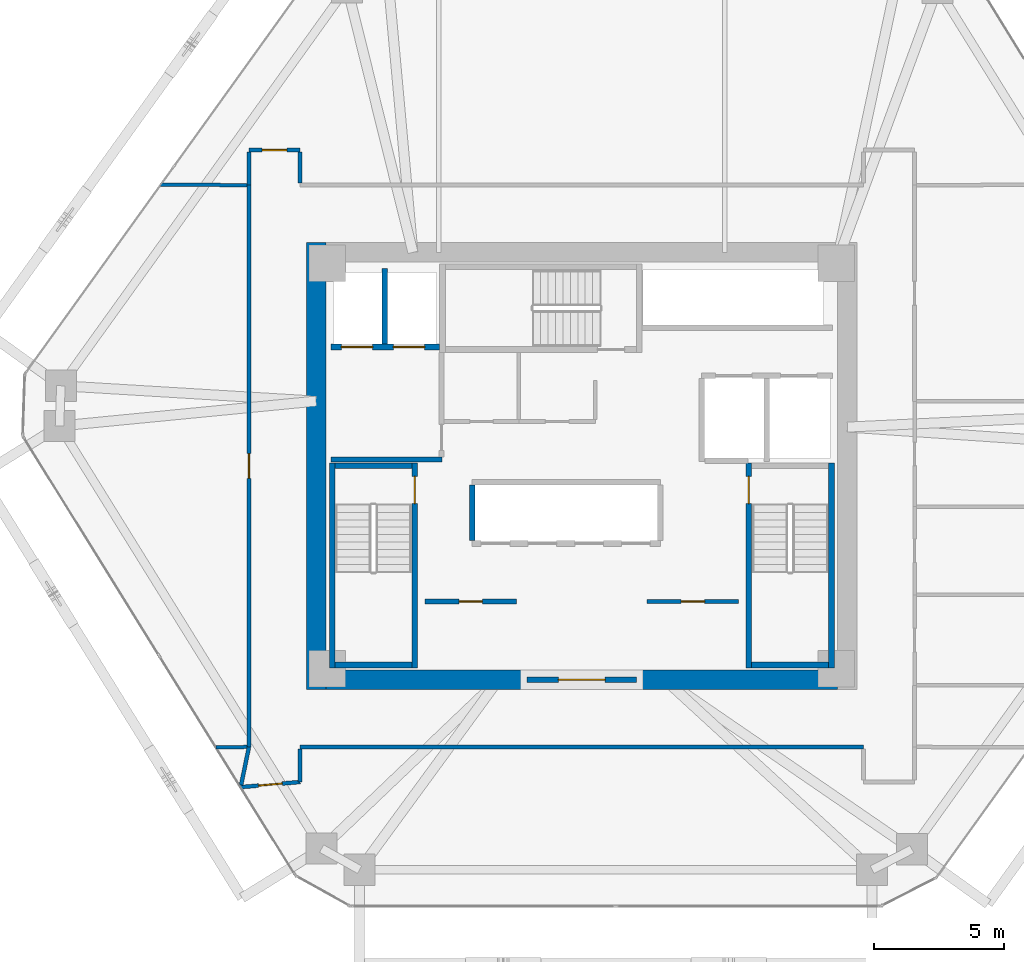
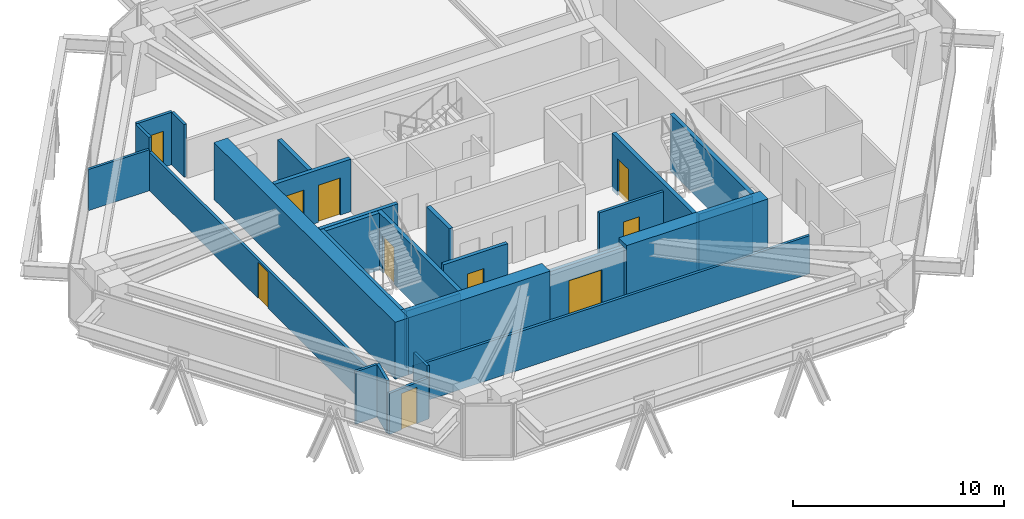
# One storey, part 12 of 15: 27 walls, 10 doors, 10 openings.
"""IFC4 building model written with IfcOpenShell, lengths in metres."""

import ifcopenshell
import ifcopenshell.guid

model = None  # the IFC model being written
_history = None  # IfcOwnerHistory: only IFC2X3 demands one
_inside = {}  # id of a spatial element -> (the spatial element, [elements in it])
_under = {}  # id of a project, library or spatial element -> (it, [spatial elements below it])
_declared = {}  # id of a project -> (the project, [libraries it declares])
_typed = {}  # id of a type object -> (the type object, [elements of that type])
_made_of = {}  # id of a material, layer set ... -> (it, [elements and type objects made of it])


def new_model(schema):
    """Start an empty IFC model of exactly this schema.

    Asked for "IFC4X3", IfcOpenShell would pick the latest addendum, in which some entities
    have other attributes; the version numbers below select the first issue.
    IFC2X3 requires an IfcOwnerHistory on every rooted entity: one is made here for all.
    """
    global model, _history
    if schema == "IFC4X3":
        model = ifcopenshell.file(schema_version=(4, 3, 0, 0))
    else:
        model = ifcopenshell.file(schema=schema)
    _inside.clear()
    _under.clear()
    _declared.clear()
    _typed.clear()
    _made_of.clear()
    _history = None
    if model.schema == "IFC2X3":
        org = make("IfcOrganization", Name="unknown")
        user = make(
            "IfcPersonAndOrganization",
            ThePerson=make("IfcPerson", FamilyName="unknown"),
            TheOrganization=org,
        )
        app = make(
            "IfcApplication",
            ApplicationDeveloper=org,
            Version="unknown",
            ApplicationFullName="unknown",
            ApplicationIdentifier="unknown",
        )
        _history = make(
            "IfcOwnerHistory",
            OwningUser=user,
            OwningApplication=app,
            ChangeAction="ADDED",
            CreationDate=0,
        )
    return model


def make(cls, **values):
    """One entity of the class cls with the attributes given. An attribute that is None is left unset."""
    return model.create_entity(
        cls, **{name: value for name, value in values.items() if value is not None}
    )


def rooted(cls, **values):
    """An entity with a GlobalId (a new one), such as an element, a storey or a relation."""
    return make(cls, GlobalId=ifcopenshell.guid.new(), OwnerHistory=_history, **values)


def si_unit(unit_type, name, prefix=None):
    """IfcSIUnit, for example si_unit("LENGTHUNIT", "METRE", prefix="MILLI")."""
    return make("IfcSIUnit", UnitType=unit_type, Prefix=prefix, Name=name)


def assignment(units):
    """IfcUnitAssignment: the units of a project."""
    return None if units is None else make("IfcUnitAssignment", Units=units)


def point(xyz):
    """IfcCartesianPoint."""
    return None if xyz is None else make("IfcCartesianPoint", Coordinates=xyz)


def direction(xyz):
    """IfcDirection."""
    return None if xyz is None else make("IfcDirection", DirectionRatios=xyz)


def frame(location, z_axis=None, x_axis=None):
    """IfcAxis2Placement3D, a coordinate frame: its origin and axes. An axis left out is left unset."""
    return make(
        "IfcAxis2Placement3D",
        Location=point(location),
        Axis=direction(z_axis),
        RefDirection=direction(x_axis),
    )


def frame_2d(location, x_axis=None):
    """IfcAxis2Placement2D, a coordinate frame in the plane: its origin and x axis."""
    return make(
        "IfcAxis2Placement2D", Location=point(location), RefDirection=direction(x_axis)
    )


def origin():
    """The frame at (0, 0, 0) with its axes left unset."""
    return frame((0.0, 0.0, 0.0))


def place(relative_to, where):
    """IfcLocalPlacement: puts the frame where relative to a parent placement (None: the world)."""
    return make(
        "IfcLocalPlacement", PlacementRelTo=relative_to, RelativePlacement=where
    )


def context(
    kind, dimensions, precision=None, world=None, true_north=None, identifier=None
):
    """IfcGeometricRepresentationContext, for example the 3D "Model" context."""
    return make(
        "IfcGeometricRepresentationContext",
        ContextIdentifier=identifier,
        ContextType=kind,
        CoordinateSpaceDimension=dimensions,
        Precision=precision,
        WorldCoordinateSystem=world,
        TrueNorth=true_north,
    )


def subcontext(parent, identifier, kind, view, scale=None):
    """IfcGeometricRepresentationSubContext, for example "Body" below "Model"."""
    return make(
        "IfcGeometricRepresentationSubContext",
        ContextIdentifier=identifier,
        ContextType=kind,
        ParentContext=parent,
        TargetScale=scale,
        TargetView=view,
    )


def project(units=None, contexts=None):
    """IfcProject with its units and contexts."""
    return rooted(
        "IfcProject",
        Name="project",
        RepresentationContexts=contexts,
        UnitsInContext=assignment(units),
    )


def spatial(cls, under=None, at=None, **own):
    """A site, building, storey or space (cls), placed at a placement, below another one or the project."""
    s = rooted(cls, ObjectPlacement=at, **own)
    if under is not None:
        _under.setdefault(under.id(), (under, []))[1].append(s)
    return s


def profile(cls, at=None, kind="AREA", **sizes):
    """A parametric profile (cls). Its sizes go by their IFC names, for example OverallWidth=200.0."""
    return make(cls, ProfileType=kind, Position=at, **sizes)


def rectangle(**sizes):
    """IfcRectangleProfileDef."""
    return profile("IfcRectangleProfileDef", **sizes)


def extrude(swept, where, along, depth):
    """IfcExtrudedAreaSolid: the profile swept, set in the frame where, extruded along a direction by depth."""
    return make(
        "IfcExtrudedAreaSolid",
        SweptArea=swept,
        Position=where,
        ExtrudedDirection=direction(along),
        Depth=depth,
    )


def shape(context_of_items, identifier, shape_type, items):
    """IfcShapeRepresentation: the items that make up one representation, for example the "Body"."""
    return make(
        "IfcShapeRepresentation",
        ContextOfItems=context_of_items,
        RepresentationIdentifier=identifier,
        RepresentationType=shape_type,
        Items=items,
    )


def source(mapping_origin, context_of_items, identifier, shape_type, items):
    """IfcRepresentationMap: a shape defined once, which mapped items show again and again."""
    return make(
        "IfcRepresentationMap",
        MappingOrigin=mapping_origin,
        MappedRepresentation=shape(context_of_items, identifier, shape_type, items),
    )


def transform(
    local_origin,
    x_axis=None,
    y_axis=None,
    z_axis=None,
    scale=None,
    scale2=None,
    scale3=None,
    uniform=True,
):
    """IfcCartesianTransformationOperator3D, or its non-uniform kind. x_axis, y_axis, z_axis: its Axis1, 2, 3."""
    if uniform:
        return make(
            "IfcCartesianTransformationOperator3D",
            Axis1=direction(x_axis),
            Axis2=direction(y_axis),
            LocalOrigin=point(local_origin),
            Scale=scale,
            Axis3=direction(z_axis),
        )
    return make(
        "IfcCartesianTransformationOperator3DnonUniform",
        Axis1=direction(x_axis),
        Axis2=direction(y_axis),
        LocalOrigin=point(local_origin),
        Scale=scale,
        Axis3=direction(z_axis),
        Scale2=scale2,
        Scale3=scale3,
    )


def mapped(mapping_source, mapping_target):
    """IfcMappedItem: shows the shape of a source again, moved by a transform."""
    return make(
        "IfcMappedItem", MappingSource=mapping_source, MappingTarget=mapping_target
    )


def material(Name=None, Category=None):
    """IfcMaterial."""
    return make("IfcMaterial", Name=Name, Category=Category)


def layer(
    of_material, thickness, ventilated=None, Name=None, Category=None, Priority=None
):
    """IfcMaterialLayer: one layer of a wall or slab, of a material (None: an air gap)."""
    return make(
        "IfcMaterialLayer",
        Material=of_material,
        LayerThickness=thickness,
        IsVentilated=ventilated,
        Name=Name,
        Category=Category,
        Priority=Priority,
    )


def layer_set(layers, Name=None):
    """IfcMaterialLayerSet."""
    return make("IfcMaterialLayerSet", MaterialLayers=layers, LayerSetName=Name)


def made_of(thing, what):
    """Note that an element or type object is made of a material, layer set ...; save() writes the relation."""
    if what is not None:
        _made_of.setdefault(what.id(), (what, []))[1].append(thing)
    return thing


def type_object(cls, material=None, **own):
    """A type object (cls), such as IfcWallType, which elements share."""
    return made_of(rooted(cls, **own), material)


def type_shapes(of_type, sources):
    """Give a type object the sources (RepresentationMaps) that its elements show as mapped items."""
    of_type.RepresentationMaps = sources


def element(
    cls,
    number,
    at=None,
    inside=None,
    cuts=None,
    type_object=None,
    material=None,
    context=None,
    identifier="Body",
    shape_type=None,
    held_by="IfcProductDefinitionShape",
    body=None,
    shapes=None,
    **own,
):
    """One element of the class cls, such as IfcWall. Its Tag is "e" and its number.

    at: its placement. inside: the storey or other place that contains it. cuts: it is an
    opening in that element (IfcRelVoidsElement). A single representation is given by context,
    identifier, shape_type and body (its items); several are given by shapes. held_by: the class
    of the entity that holds the representations. save() writes the other relations.
    """
    e = rooted(cls, Tag="e%d" % number, ObjectPlacement=at, **own)
    if body is not None:
        shapes = [shape(context, identifier, shape_type, body)]
    if shapes is not None:
        e.Representation = make(held_by, Representations=shapes)
    if inside is not None:
        _inside.setdefault(inside.id(), (inside, []))[1].append(e)
    if cuts is not None:
        rooted(
            "IfcRelVoidsElement", RelatingBuildingElement=cuts, RelatedOpeningElement=e
        )
    if type_object is not None:
        _typed.setdefault(type_object.id(), (type_object, []))[1].append(e)
    return made_of(e, material)


def fill(opening, filler):
    """IfcRelFillsElement: the door or window that sits in an opening."""
    return rooted(
        "IfcRelFillsElement",
        RelatingOpeningElement=opening,
        RelatedBuildingElement=filler,
    )


def aggregate(whole, parts):
    """IfcRelAggregates: a whole, such as a stair, and the parts it consists of."""
    return rooted("IfcRelAggregates", RelatingObject=whole, RelatedObjects=parts)


def save(model, path):
    """Write the relations noted so far, then the file.

    IfcRelAggregates (storeys below a building ...), IfcRelContainedInSpatialStructure (elements
    in a storey), IfcRelDefinesByType, IfcRelAssociatesMaterial and IfcRelDeclares: one each for
    every whole, place, type object, material and project.
    """
    for whole, parts in _under.values():
        aggregate(whole, parts)
    for where, things in _inside.values():
        rooted(
            "IfcRelContainedInSpatialStructure",
            RelatedElements=things,
            RelatingStructure=where,
        )
    for kind, things in _typed.values():
        rooted("IfcRelDefinesByType", RelatedObjects=things, RelatingType=kind)
    for what, things in _made_of.values():
        rooted("IfcRelAssociatesMaterial", RelatedObjects=things, RelatingMaterial=what)
    for by, libraries in _declared.values():
        rooted("IfcRelDeclares", RelatingContext=by, RelatedDefinitions=libraries)
    model.write(path)


model = new_model("IFC4")

# Units and contexts
model_context = context("Model", 3, precision=1e-05, world=origin(), true_north=direction((0.0, 1.0)))
body_context = subcontext(model_context, "Body", "Model", "MODEL_VIEW")
ifc_project = project(units=[si_unit("LENGTHUNIT", "METRE"), si_unit("AREAUNIT", "SQUARE_METRE"), si_unit("VOLUMEUNIT", "CUBIC_METRE"), si_unit("PLANEANGLEUNIT", "RADIAN"), si_unit("MASSUNIT", "GRAM", prefix="KILO")], contexts=[model_context])

# Site, building, storey
site_placement = place(None, origin())
site = spatial("IfcSite", under=ifc_project, at=site_placement, CompositionType="ELEMENT")
building_placement = place(site_placement, origin())
building = spatial("IfcBuilding", under=site, at=building_placement, Name="Durnholm Broadcast Tower", CompositionType="ELEMENT")
storey_placement = place(building_placement, frame((0.0, 0.0, 104.10009765625)))
storey = spatial("IfcBuildingStorey", under=building, at=storey_placement, Name="L27", CompositionType="ELEMENT", Elevation=104.10009765625)

# Walls
ifc_material_1 = material(Name="Concrete C70/85", Category="concrete")
ifc_layer_1 = layer(ifc_material_1, 0.75)
ifc_layer_set_1 = layer_set([ifc_layer_1], Name="Concrete C70/85")
wall_type_1 = type_object("IfcWallType", Name="WALL-CW-750", PredefinedType="SHEAR", material=ifc_layer_set_1)
wall_1_placement = place(storey_placement, frame((-10.22509765625, -8.60009765625, 0.0), z_axis=(0.0, 0.0, 1.0), x_axis=(0.0, 1.0, 0.0)))
element("IfcWall", 1, at=wall_1_placement, inside=storey, type_object=wall_type_1, Name="L27 central core shear wall CW-WEST", PredefinedType="SHEAR", context=body_context, shape_type="SweptSolid", body=[
    extrude(rectangle(XDim=17.2001953125, YDim=0.75, at=frame_2d((8.60009765625, 0.0))), origin(), (0.0, 0.0, 1.0), 3.2998046875),
])
for number, where, z_axis, x_axis, name in (
    (2, (-9.85009765625, -8.22509765625, 0.0), (0.0, 0.0, 1.0), (1.0, 0.0, 0.0), "L27 central core shear wall CW-S1"),
    (3, (2.10009765625, -8.22509765625, 0.0), (0.0, 0.0, 1.0), (1.0, 0.0, 0.0), "L27 central core shear wall CW-S2"),
):
    element("IfcWall", number, at=place(storey_placement, frame(where, z_axis=z_axis, x_axis=x_axis)), inside=storey, type_object=wall_type_1, Name=name, PredefinedType="SHEAR", context=body_context, shape_type="SweptSolid", body=[
        extrude(rectangle(XDim=7.75, YDim=0.75, at=frame_2d((3.875, 0.0))), origin(), (0.0, 0.0, 1.0), 3.2998046875),
    ])

# Wall, opening, door
ifc_material_2 = material(Name="Fire-Rated Gypsum Shaftwall", Category="concrete")
ifc_layer_2 = layer(ifc_material_2, 0.199951171875)
ifc_layer_set_2 = layer_set([ifc_layer_2], Name="Fire-Rated Gypsum Shaftwall")
wall_type_2 = type_object("IfcWallType", Name="WALL-LOB-200", PredefinedType="SOLIDWALL", material=ifc_layer_set_2)
wall_2_placement = place(storey_placement, frame((-2.10009765625, -8.22509765625, 0.0), z_axis=(0.0, 0.0, 1.0), x_axis=(1.0, 0.0, 0.0)))
wall_2 = element("IfcWall", 4, at=wall_2_placement, inside=storey, type_object=wall_type_2, Name="L27 south core lobby fire screen", PredefinedType="SOLIDWALL", context=body_context, shape_type="SweptSolid", body=[
    extrude(rectangle(XDim=4.2001953125, YDim=0.199951171875, at=frame_2d((2.10009765625, 0.0))), origin(), (0.0, 0.0, 1.0), 3.044921875),
])
opening_1_placement = place(wall_2_placement, frame((1.199951171875, 0.0, 0.0)))
opening_1 = element("IfcOpeningElement", 5, at=opening_1_placement, cuts=wall_2, Name="Opening DP-60", PredefinedType="OPENING", context=body_context, shape_type="SweptSolid", body=[
    extrude(rectangle(XDim=1.800048828125, YDim=2.14990234375, at=frame_2d((0.89990234375, 1.074951171875))), frame((0.0, 0.10986328125, 0.0), z_axis=(0.0, -1.0, 0.0), x_axis=(1.0, 0.0, 0.0)), (0.0, 0.0, 1.0), 0.219970703125),
])
ifc_material_3 = material(Name="Fire-Rated Double Corridor Door", Category="steel")
ifc_layer_3 = layer(ifc_material_3, 0.050048828125)
ifc_layer_set_3 = layer_set([ifc_layer_3], Name="Fire-Rated Double Corridor Door")
door_type_1 = type_object("IfcDoorType", Name="DOOR-PAIR-FD60", OperationType="DOUBLE_DOOR_SINGLE_SWING", PredefinedType="DOOR", material=ifc_layer_set_3)
shared_shape_1 = source(origin(), body_context, "Body", "SweptSolid", [
    extrude(rectangle(XDim=1.800048828125, YDim=2.14990234375, at=frame_2d((0.89990234375, 1.074951171875))), frame((0.0, 0.02490234375, 0.0), z_axis=(0.0, -1.0, 0.0), x_axis=(1.0, 0.0, 0.0)), (0.0, 0.0, 1.0), 0.050048828125),
])
type_shapes(door_type_1, [shared_shape_1])
door_1_placement = place(opening_1_placement, origin())
door_1 = element("IfcDoor", 6, at=door_1_placement, inside=storey, type_object=door_type_1, Name="L27 south core lobby double fire door", OperationType="DOUBLE_DOOR_SINGLE_SWING", OverallHeight=2.14990234375, OverallWidth=1.800048828125, PredefinedType="DOOR", context=body_context, shape_type="MappedRepresentation", body=[
    mapped(shared_shape_1, transform((0.0, 0.0, 0.0), x_axis=(1.0, 0.0, 0.0), y_axis=(0.0, 1.0, 0.0), z_axis=(0.0, 0.0, 1.0), scale=1.0)),
])
fill(opening_1, door_1)

# Wall
wall_3_placement = place(storey_placement, frame((-9.64990234375, 0.25, 0.0), z_axis=(0.0, 0.0, 1.0), x_axis=(1.0, 0.0, 0.0)))
element("IfcWall", 7, at=wall_3_placement, inside=storey, type_object=wall_type_2, Name="L27 Fire Service Access Elevator lobby south wall", PredefinedType="SOLIDWALL", context=body_context, shape_type="SweptSolid", body=[
    extrude(rectangle(XDim=4.27001953125, YDim=0.199951171875, at=frame_2d((2.135009765625, 0.0))), origin(), (0.0, 0.0, 1.0), 3.044921875),
])

# Wall, opening, door
wall_4_placement = place(storey_placement, frame((-6.0400390625, -5.2099609375, 0.0), z_axis=(0.0, 0.0, 1.0), x_axis=(1.0, 0.0, 0.0)))
wall_4 = element("IfcWall", 8, at=wall_4_placement, inside=storey, type_object=wall_type_2, Name="L27 Broadcast Signal Rack Room corridor partition", PredefinedType="SOLIDWALL", context=body_context, shape_type="SweptSolid", body=[
    extrude(rectangle(XDim=3.530029296875, YDim=0.199951171875, at=frame_2d((1.76513671875, 0.0))), origin(), (0.0, 0.0, 1.0), 3.044921875),
])
opening_2_placement = place(wall_4_placement, frame((1.31494140625, 0.0, 0.0)))
opening_2 = element("IfcOpeningElement", 9, at=opening_2_placement, cuts=wall_4, Name="Opening DC-60L", PredefinedType="OPENING", context=body_context, shape_type="SweptSolid", body=[
    extrude(rectangle(XDim=0.89990234375, YDim=2.050048828125, at=frame_2d((0.449951171875, 1.02490234375))), frame((0.0, 0.10986328125, 0.0), z_axis=(0.0, -1.0, 0.0), x_axis=(1.0, 0.0, 0.0)), (0.0, 0.0, 1.0), 0.219970703125),
])
ifc_material_4 = material(Name="Fire-Rated Core Service Door", Category="steel")
ifc_layer_4 = layer(ifc_material_4, 0.050048828125)
ifc_layer_set_4 = layer_set([ifc_layer_4], Name="Fire-Rated Core Service Door")
door_type_2 = type_object("IfcDoorType", Name="DOOR-CORE-FD60-L", OperationType="NOTDEFINED", PredefinedType="DOOR", material=ifc_layer_set_4)
shared_shape_2 = source(origin(), body_context, "Body", "SweptSolid", [
    extrude(rectangle(XDim=0.89990234375, YDim=2.050048828125, at=frame_2d((0.449951171875, 1.02490234375))), frame((0.0, 0.02490234375, 0.0), z_axis=(0.0, -1.0, 0.0), x_axis=(1.0, 0.0, 0.0)), (0.0, 0.0, 1.0), 0.050048828125),
])
type_shapes(door_type_2, [shared_shape_2])
door_2_placement = place(opening_2_placement, origin())
door_2 = element("IfcDoor", 10, at=door_2_placement, inside=storey, type_object=door_type_2, Name="L27 Broadcast Signal Rack Room entrance door", OperationType="SINGLE_SWING_LEFT", OverallHeight=2.050048828125, OverallWidth=0.89990234375, PredefinedType="DOOR", context=body_context, shape_type="MappedRepresentation", body=[
    mapped(shared_shape_2, transform((0.0, 0.0, 0.0), x_axis=(1.0, 0.0, 0.0), y_axis=(0.0, 1.0, 0.0), z_axis=(0.0, 0.0, 1.0), scale=1.0)),
])
fill(opening_2, door_2)

# Walls
ifc_material_5 = material(Name="Gypsum Metal Stud Partition", Category="concrete")
ifc_layer_5 = layer(ifc_material_5, 0.135009765625)
ifc_layer_set_5 = layer_set([ifc_layer_5], Name="Gypsum Metal Stud Partition")
wall_type_3 = type_object("IfcWallType", Name="WALL-PART-135", PredefinedType="PARTITIONING", material=ifc_layer_set_5)
wall_5_placement = place(storey_placement, frame((-12.888916015625, 10.810546875, 0.0), z_axis=(0.0, 0.0, 1.0), x_axis=(-0.999976657862, 0.006832549348, 0.0)))
element("IfcWall", 11, at=wall_5_placement, inside=storey, type_object=wall_type_3, Name="L27 room dividing partition 8.10", PredefinedType="PARTITIONING", context=body_context, shape_type="SweptSolid", body=[
    extrude(rectangle(XDim=3.322998046875, YDim=0.135009765625, at=frame_2d((1.66162109375, 0.0))), origin(), (0.0, 0.0, 1.0), 2.3798828125),
])
wall_6_placement = place(storey_placement, frame((-14.075927734375, -10.8310546875, 0.0), z_axis=(0.0, 0.0, 1.0), x_axis=(0.999860796611, 0.016684945308, 0.0)))
element("IfcWall", 12, at=wall_6_placement, inside=storey, type_object=wall_type_3, Name="L27 room dividing partition 9.10", PredefinedType="PARTITIONING", context=body_context, shape_type="SweptSolid", body=[
    extrude(rectangle(XDim=1.185302734375, YDim=0.135009765625, at=frame_2d((0.5927734375, 0.0))), origin(), (0.0, 0.0, 1.0), 3.044921875),
])

# Wall, opening, door
ifc_material_6 = material(Name="Acoustic Gypsum Stud Partition", Category="concrete")
ifc_layer_6 = layer(ifc_material_6, 0.14990234375)
ifc_layer_set_6 = layer_set([ifc_layer_6], Name="Acoustic Gypsum Stud Partition")
wall_type_4 = type_object("IfcWallType", Name="WALL-PART-150", PredefinedType="PARTITIONING", material=ifc_layer_set_6)
wall_7_placement = place(storey_placement, frame((2.510009765625, -5.2099609375, 0.0), z_axis=(0.0, 0.0, 1.0), x_axis=(1.0, 0.0, 0.0)))
wall_7 = element("IfcWall", 13, at=wall_7_placement, inside=storey, type_object=wall_type_4, Name="L27 Editorial Beverage Pantry corridor partition", PredefinedType="PARTITIONING", context=body_context, shape_type="SweptSolid", body=[
    extrude(rectangle(XDim=3.530029296875, YDim=0.14990234375, at=frame_2d((1.76513671875, 0.0))), origin(), (0.0, 0.0, 1.0), 3.044921875),
])
opening_3_placement = place(wall_7_placement, frame((1.31494140625, 0.0, 0.0)))
opening_3 = element("IfcOpeningElement", 14, at=opening_3_placement, cuts=wall_7, Name="Opening DC-60R", PredefinedType="OPENING", context=body_context, shape_type="SweptSolid", body=[
    extrude(rectangle(XDim=0.89990234375, YDim=2.050048828125, at=frame_2d((0.449951171875, 1.02490234375))), frame((0.0, 0.0849609375, 0.0), z_axis=(0.0, -1.0, 0.0), x_axis=(1.0, 0.0, 0.0)), (0.0, 0.0, 1.0), 0.169921875),
])
ifc_layer_7 = layer(ifc_material_4, 0.050048828125)
ifc_layer_set_7 = layer_set([ifc_layer_7], Name="Fire-Rated Core Service Door")
door_type_3 = type_object("IfcDoorType", Name="DOOR-CORE-FD60-R", OperationType="NOTDEFINED", PredefinedType="DOOR", material=ifc_layer_set_7)
shared_shape_3 = source(origin(), body_context, "Body", "SweptSolid", [
    extrude(rectangle(XDim=0.89990234375, YDim=2.050048828125, at=frame_2d((0.449951171875, 1.02490234375))), frame((0.0, 0.02490234375, 0.0), z_axis=(0.0, -1.0, 0.0), x_axis=(1.0, 0.0, 0.0)), (0.0, 0.0, 1.0), 0.050048828125),
])
type_shapes(door_type_3, [shared_shape_3])
door_3_placement = place(opening_3_placement, origin())
door_3 = element("IfcDoor", 15, at=door_3_placement, inside=storey, type_object=door_type_3, Name="L27 Editorial Beverage Pantry entrance door", OperationType="SINGLE_SWING_RIGHT", OverallHeight=2.050048828125, OverallWidth=0.89990234375, PredefinedType="DOOR", context=body_context, shape_type="MappedRepresentation", body=[
    mapped(shared_shape_3, transform((0.0, 0.0, 0.0), x_axis=(1.0, 0.0, 0.0), y_axis=(0.0, 1.0, 0.0), z_axis=(0.0, 0.0, 1.0), scale=1.0)),
])
fill(opening_3, door_3)

wall_8_placement = place(storey_placement, frame((-10.840087890625, 12.159912109375, 0.0), z_axis=(0.0, 0.0, 1.0), x_axis=(-1.0, 0.0, 0.0)))
wall_8 = element("IfcWall", 16, at=wall_8_placement, inside=storey, type_object=wall_type_4, Name="L27 Network Operations Hall corridor partition", PredefinedType="PARTITIONING", context=body_context, shape_type="SweptSolid", body=[
    extrude(rectangle(XDim=1.969970703125, YDim=0.14990234375, at=frame_2d((0.98486328125, 0.0))), origin(), (0.0, 0.0, 1.0), 3.044921875),
])
opening_4_placement = place(wall_8_placement, frame((0.510009765625, 0.0, 0.0)))
opening_4 = element("IfcOpeningElement", 17, at=opening_4_placement, cuts=wall_8, Name="Opening DR-95R", PredefinedType="OPENING", context=body_context, shape_type="SweptSolid", body=[
    extrude(rectangle(XDim=0.949951171875, YDim=2.10009765625, at=frame_2d((0.47509765625, 1.050048828125))), frame((0.0, 0.0849609375, 0.0), z_axis=(0.0, -1.0, 0.0), x_axis=(1.0, 0.0, 0.0)), (0.0, 0.0, 1.0), 0.169921875),
])
ifc_material_7 = material(Name="Acoustic Oak Veneer Timber Door", Category="wood")
ifc_layer_8 = layer(ifc_material_7, 0.050048828125)
ifc_layer_set_8 = layer_set([ifc_layer_8], Name="Acoustic Oak Veneer Timber Door")
door_type_4 = type_object("IfcDoorType", Name="DOOR-RM-950R", OperationType="NOTDEFINED", PredefinedType="DOOR", material=ifc_layer_set_8)
shared_shape_4 = source(origin(), body_context, "Body", "SweptSolid", [
    extrude(rectangle(XDim=0.949951171875, YDim=2.10009765625, at=frame_2d((0.47509765625, 1.050048828125))), frame((0.0, 0.02490234375, 0.0), z_axis=(0.0, -1.0, 0.0), x_axis=(1.0, 0.0, 0.0)), (0.0, 0.0, 1.0), 0.050048828125),
])
type_shapes(door_type_4, [shared_shape_4])
door_4_placement = place(opening_4_placement, origin())
door_4 = element("IfcDoor", 18, at=door_4_placement, inside=storey, type_object=door_type_4, Name="L27 Network Operations Hall entrance door", OperationType="SINGLE_SWING_RIGHT", OverallHeight=2.10009765625, OverallWidth=0.949951171875, PredefinedType="DOOR", context=body_context, shape_type="MappedRepresentation", body=[
    mapped(shared_shape_4, transform((0.0, 0.0, 0.0), x_axis=(1.0, 0.0, 0.0), y_axis=(0.0, 1.0, 0.0), z_axis=(0.0, 0.0, 1.0), scale=1.0)),
])
fill(opening_4, door_4)

# Walls
wall_9_placement = place(storey_placement, frame((-10.840087890625, 10.888916015625, 0.0), z_axis=(0.0, 0.0, 1.0), x_axis=(0.0, 1.0, 0.0)))
element("IfcWall", 19, at=wall_9_placement, inside=storey, type_object=wall_type_4, Name="L27 Network Operations Hall corridor partition", PredefinedType="PARTITIONING", context=body_context, shape_type="SweptSolid", body=[
    extrude(rectangle(XDim=1.192138671875, YDim=0.14990234375, at=frame_2d((0.59619140625, 0.0))), origin(), (0.0, 0.0, 1.0), 3.044921875),
])
wall_10_placement = place(storey_placement, frame((-12.81005859375, 12.0810546875, 0.0), z_axis=(0.0, 0.0, 1.0), x_axis=(0.0, -1.0, 0.0)))
element("IfcWall", 20, at=wall_10_placement, inside=storey, type_object=wall_type_4, Name="L27 Network Operations Hall corridor partition", PredefinedType="PARTITIONING", context=body_context, shape_type="SweptSolid", body=[
    extrude(rectangle(XDim=1.27099609375, YDim=0.14990234375, at=frame_2d((0.635498046875, 0.0))), origin(), (0.0, 0.0, 1.0), 3.044921875),
])
wall_11_placement = place(storey_placement, frame((-10.840087890625, -10.81005859375, 0.0), z_axis=(0.0, 0.0, 1.0), x_axis=(1.0, 0.0, 0.0)))
element("IfcWall", 21, at=wall_11_placement, inside=storey, type_object=wall_type_4, Name="L27 Open Plan Broadcast Workspace 3 corridor partition", PredefinedType="PARTITIONING", context=body_context, shape_type="SweptSolid", body=[
    extrude(rectangle(XDim=21.68017578125, YDim=0.14990234375, at=frame_2d((10.840087890625, 0.0))), origin(), (0.0, 0.0, 1.0), 2.2119140625),
])

# Wall, opening, door
wall_12_placement = place(storey_placement, frame((-13.12890625, -12.35791015625, 0.0), z_axis=(0.0, 0.0, 1.0), x_axis=(0.996279168698, 0.086184789953, 0.0)))
wall_12 = element("IfcWall", 22, at=wall_12_placement, inside=storey, type_object=wall_type_4, Name="L27 Open Plan Broadcast Workspace 3 corridor partition", PredefinedType="PARTITIONING", context=body_context, shape_type="SweptSolid", body=[
    extrude(rectangle(XDim=2.29736328125, YDim=0.14990234375, at=frame_2d((1.148681640625, 0.0))), origin(), (0.0, 0.0, 1.0), 2.3798828125),
])
opening_5_placement = place(wall_12_placement, frame((0.688720703125, 0.0, 0.0)))
opening_5 = element("IfcOpeningElement", 23, at=opening_5_placement, cuts=wall_12, Name="Opening DR-92L", PredefinedType="OPENING", context=body_context, shape_type="SweptSolid", body=[
    extrude(rectangle(XDim=0.919921875, YDim=2.10009765625, at=frame_2d((0.4599609375, 1.050048828125))), frame((0.0, 0.0849609375, 0.0), z_axis=(0.0, -1.0, 0.0), x_axis=(1.0, 0.0, 0.0)), (0.0, 0.0, 1.0), 0.169921875),
])
ifc_material_8 = material(Name="Oak Veneer Office Door", Category="wood")
ifc_layer_9 = layer(ifc_material_8, 0.050048828125)
ifc_layer_set_9 = layer_set([ifc_layer_9], Name="Oak Veneer Office Door")
door_type_5 = type_object("IfcDoorType", Name="DOOR-RM-920L", OperationType="NOTDEFINED", PredefinedType="DOOR", material=ifc_layer_set_9)
shared_shape_5 = source(origin(), body_context, "Body", "SweptSolid", [
    extrude(rectangle(XDim=0.919921875, YDim=2.10009765625, at=frame_2d((0.4599609375, 1.050048828125))), frame((0.0, 0.02490234375, 0.0), z_axis=(0.0, -1.0, 0.0), x_axis=(1.0, 0.0, 0.0)), (0.0, 0.0, 1.0), 0.050048828125),
])
type_shapes(door_type_5, [shared_shape_5])
door_5_placement = place(opening_5_placement, origin())
door_5 = element("IfcDoor", 24, at=door_5_placement, inside=storey, type_object=door_type_5, Name="L27 Open Plan Broadcast Workspace 3 entrance door", OperationType="SINGLE_SWING_LEFT", OverallHeight=2.10009765625, OverallWidth=0.919921875, PredefinedType="DOOR", context=body_context, shape_type="MappedRepresentation", body=[
    mapped(shared_shape_5, transform((0.0, 0.0, 0.0), x_axis=(1.0, 0.0, 0.0), y_axis=(0.0, 1.0, 0.0), z_axis=(0.0, 0.0, 1.0), scale=1.0)),
])
fill(opening_5, door_5)

# Walls
wall_13_placement = place(storey_placement, frame((-12.81005859375, -10.81005859375, 0.0), z_axis=(0.0, 0.0, 1.0), x_axis=(-0.201786289638, -0.979429575474, 0.0)))
element("IfcWall", 25, at=wall_13_placement, inside=storey, type_object=wall_type_4, Name="L27 Open Plan Broadcast Workspace 3 corridor partition", PredefinedType="PARTITIONING", context=body_context, shape_type="SweptSolid", body=[
    extrude(rectangle(XDim=1.497802734375, YDim=0.14990234375, at=frame_2d((0.7490234375, 0.0))), origin(), (0.0, 0.0, 1.0), 3.044921875),
])
wall_14_placement = place(storey_placement, frame((-10.840087890625, -12.159912109375, 0.0), z_axis=(0.0, 0.0, 1.0), x_axis=(0.0, 1.0, 0.0)))
element("IfcWall", 26, at=wall_14_placement, inside=storey, type_object=wall_type_4, Name="L27 Open Plan Broadcast Workspace 3 corridor partition", PredefinedType="PARTITIONING", context=body_context, shape_type="SweptSolid", body=[
    extrude(rectangle(XDim=1.27099609375, YDim=0.14990234375, at=frame_2d((0.635498046875, 0.0))), origin(), (0.0, 0.0, 1.0), 3.044921875),
])

# Wall, opening, door
wall_15_placement = place(storey_placement, frame((-12.81005859375, 10.81005859375, 0.0), z_axis=(0.0, 0.0, 1.0), x_axis=(0.0, -1.0, 0.0)))
wall_15 = element("IfcWall", 27, at=wall_15_placement, inside=storey, type_object=wall_type_4, Name="L27 Engineering Briefing Meeting Room corridor partition", PredefinedType="PARTITIONING", context=body_context, shape_type="SweptSolid", body=[
    extrude(rectangle(XDim=21.6201171875, YDim=0.14990234375, at=frame_2d((10.81005859375, 0.0))), origin(), (0.0, 0.0, 1.0), 2.2119140625),
])
opening_6_placement = place(wall_15_placement, frame((10.3349609375, 0.0, 0.0)))
opening_6 = element("IfcOpeningElement", 28, at=opening_6_placement, cuts=wall_15, Name="Opening DR-95R", PredefinedType="OPENING", context=body_context, shape_type="SweptSolid", body=[
    extrude(rectangle(XDim=0.949951171875, YDim=2.10009765625, at=frame_2d((0.47509765625, 1.050048828125))), frame((0.0, 0.0849609375, 0.0), z_axis=(0.0, -1.0, 0.0), x_axis=(1.0, 0.0, 0.0)), (0.0, 0.0, 1.0), 0.169921875),
])
door_6_placement = place(opening_6_placement, origin())
door_6 = element("IfcDoor", 29, at=door_6_placement, inside=storey, type_object=door_type_4, Name="L27 Engineering Briefing Meeting Room entrance door", OperationType="SINGLE_SWING_RIGHT", OverallHeight=2.10009765625, OverallWidth=0.949951171875, PredefinedType="DOOR", context=body_context, shape_type="MappedRepresentation", body=[
    mapped(shared_shape_4, transform((0.0, 0.0, 0.0), x_axis=(1.0, 0.0, 0.0), y_axis=(0.0, 1.0, 0.0), z_axis=(0.0, 0.0, 1.0), scale=1.0)),
])
fill(opening_6, door_6)

# Wall, openings, doors
ifc_material_9 = material(Name="Concrete Blockwork C30/37", Category="masonry")
ifc_layer_10 = layer(ifc_material_9, 0.219970703125)
ifc_layer_set_10 = layer_set([ifc_layer_10], Name="Concrete Blockwork C30/37")
wall_type_5 = type_object("IfcWallType", Name="WALL-SHAFT-220", PredefinedType="SOLIDWALL", material=ifc_layer_set_10)
wall_16_placement = place(storey_placement, frame((-9.64990234375, 4.580078125, 0.0), z_axis=(0.0, 0.0, 1.0), x_axis=(1.0, 0.0, 0.0)))
wall_16 = element("IfcWall", 30, at=wall_16_placement, inside=storey, type_object=wall_type_5, Name="L27 FSAE hoistway front fire wall", PredefinedType="SOLIDWALL", context=body_context, shape_type="SweptSolid", body=[
    extrude(rectangle(XDim=4.1748046875, YDim=0.219970703125, at=frame_2d((2.08740234375, 0.0))), origin(), (0.0, 0.0, 1.0), 3.044921875),
])
opening_7_placement = place(wall_16_placement, frame((0.39990234375, 0.0, 0.0)))
opening_7 = element("IfcOpeningElement", 31, at=opening_7_placement, cuts=wall_16, Name="Opening LD-FSAE-2", PredefinedType="OPENING", context=body_context, shape_type="SweptSolid", body=[
    extrude(rectangle(XDim=1.199951171875, YDim=2.14990234375, at=frame_2d((0.60009765625, 1.074951171875))), frame((0.0, 0.1201171875, 0.0), z_axis=(0.0, -1.0, 0.0), x_axis=(1.0, 0.0, 0.0)), (0.0, 0.0, 1.0), 0.239990234375),
])
opening_8_placement = place(wall_16_placement, frame((2.39990234375, 0.0, 0.0)))
opening_8 = element("IfcOpeningElement", 32, at=opening_8_placement, cuts=wall_16, Name="Opening LD-FSAE-1", PredefinedType="OPENING", context=body_context, shape_type="SweptSolid", body=[
    extrude(rectangle(XDim=1.199951171875, YDim=2.14990234375, at=frame_2d((0.60009765625, 1.074951171875))), frame((0.0, 0.1201171875, 0.0), z_axis=(0.0, -1.0, 0.0), x_axis=(1.0, 0.0, 0.0)), (0.0, 0.0, 1.0), 0.239990234375),
])
ifc_material_10 = material(Name="Fire Service Access Sliding Landing Door", Category="steel")
ifc_layer_11 = layer(ifc_material_10, 0.050048828125)
ifc_layer_set_11 = layer_set([ifc_layer_11], Name="Fire Service Access Sliding Landing Door")
door_type_6 = type_object("IfcDoorType", Name="DOOR-LIFT-FSAE", OperationType="DOUBLE_DOOR_SLIDING", PredefinedType="DOOR", material=ifc_layer_set_11)
shared_shape_6 = source(origin(), body_context, "Body", "SweptSolid", [
    extrude(rectangle(XDim=1.199951171875, YDim=2.14990234375, at=frame_2d((0.60009765625, 1.074951171875))), frame((0.0, 0.02490234375, 0.0), z_axis=(0.0, -1.0, 0.0), x_axis=(1.0, 0.0, 0.0)), (0.0, 0.0, 1.0), 0.050048828125),
])
type_shapes(door_type_6, [shared_shape_6])
door_7_placement = place(opening_7_placement, origin())
door_7 = element("IfcDoor", 33, at=door_7_placement, inside=storey, type_object=door_type_6, Name="L27 Fire Service Access Elevator FSAE-2 sliding landing door", OperationType="DOUBLE_DOOR_SLIDING", OverallHeight=2.14990234375, OverallWidth=1.199951171875, PredefinedType="DOOR", context=body_context, shape_type="MappedRepresentation", body=[
    mapped(shared_shape_6, transform((0.0, 0.0, 0.0), x_axis=(1.0, 0.0, 0.0), y_axis=(0.0, 1.0, 0.0), z_axis=(0.0, 0.0, 1.0), scale=1.0)),
])
fill(opening_7, door_7)
door_8_placement = place(opening_8_placement, origin())
door_8 = element("IfcDoor", 34, at=door_8_placement, inside=storey, type_object=door_type_6, Name="L27 Fire Service Access Elevator FSAE-1 sliding landing door", OperationType="DOUBLE_DOOR_SLIDING", OverallHeight=2.14990234375, OverallWidth=1.199951171875, PredefinedType="DOOR", context=body_context, shape_type="MappedRepresentation", body=[
    mapped(shared_shape_6, transform((0.0, 0.0, 0.0), x_axis=(1.0, 0.0, 0.0), y_axis=(0.0, 1.0, 0.0), z_axis=(0.0, 0.0, 1.0), scale=1.0)),
])
fill(opening_8, door_8)

# Walls
wall_17_placement = place(storey_placement, frame((-7.580078125, 4.694091796875, 0.0), z_axis=(0.0, 0.0, 1.0), x_axis=(0.0, 1.0, 0.0)))
element("IfcWall", 35, at=wall_17_placement, inside=storey, type_object=wall_type_5, Name="L27 FSAE shaft divider wall", PredefinedType="SOLIDWALL", context=body_context, shape_type="SweptSolid", body=[
    extrude(rectangle(XDim=2.906005859375, YDim=0.219970703125, at=frame_2d((1.453125, 0.0))), origin(), (0.0, 0.0, 1.0), 3.044921875),
])
wall_18_placement = place(storey_placement, frame((-4.219970703125, -2.865966796875, 0.0), z_axis=(0.0, 0.0, 1.0), x_axis=(0.0, 1.0, 0.0)))
element("IfcWall", 36, at=wall_18_placement, inside=storey, type_object=wall_type_5, Name="L27 mid-rise bank P2 west shaft wall", PredefinedType="SOLIDWALL", context=body_context, shape_type="SweptSolid", body=[
    extrude(rectangle(XDim=2.132080078125, YDim=0.219970703125, at=frame_2d((1.06591796875, 0.0))), origin(), (0.0, 0.0, 1.0), 3.044921875),
])

# Wall, opening, door
ifc_material_11 = material(Name="Concrete C50/60", Category="concrete")
ifc_layer_12 = layer(ifc_material_11, 0.219970703125)
ifc_layer_set_12 = layer_set([ifc_layer_12], Name="Concrete C50/60")
wall_type_6 = type_object("IfcWallType", Name="WALL-SW-220", PredefinedType="SHEAR", material=ifc_layer_set_12)
wall_19_placement = place(storey_placement, frame((-6.429931640625, -7.77001953125, -0.239990234375), z_axis=(0.0, 0.0, 1.0), x_axis=(0.0, 1.0, 0.0)))
wall_19 = element("IfcWall", 37, at=wall_19_placement, inside=storey, type_object=wall_type_6, Name="L27 stair ST-1 structural shaft wall E", PredefinedType="SHEAR", context=body_context, shape_type="SweptSolid", body=[
    extrude(rectangle(XDim=7.89013671875, YDim=0.219970703125, at=frame_2d((3.945068359375, 0.0))), origin(), (0.0, 0.0, 1.0), 3.2998046875),
])
opening_9_placement = place(wall_19_placement, frame((6.320068359375, 0.0, 0.0)))
opening_9 = element("IfcOpeningElement", 38, at=opening_9_placement, cuts=wall_19, Name="Opening DS-90L", PredefinedType="OPENING", context=body_context, shape_type="SweptSolid", body=[
    extrude(rectangle(XDim=1.050048828125, YDim=2.14990234375, at=frame_2d((0.52490234375, 1.074951171875))), frame((0.0, 0.1201171875, 0.0), z_axis=(0.0, -1.0, 0.0), x_axis=(1.0, 0.0, 0.0)), (0.0, 0.0, 1.0), 0.239990234375),
])
ifc_material_12 = material(Name="Fire-Rated Steel Door", Category="steel")
ifc_layer_13 = layer(ifc_material_12, 0.050048828125)
ifc_layer_set_13 = layer_set([ifc_layer_13], Name="Fire-Rated Steel Door")
door_type_7 = type_object("IfcDoorType", Name="DOOR-ST-FD90-L", OperationType="NOTDEFINED", PredefinedType="DOOR", material=ifc_layer_set_13)
shared_shape_7 = source(origin(), body_context, "Body", "SweptSolid", [
    extrude(rectangle(XDim=1.050048828125, YDim=2.14990234375, at=frame_2d((0.52490234375, 1.074951171875))), frame((0.0, 0.02490234375, 0.0), z_axis=(0.0, -1.0, 0.0), x_axis=(1.0, 0.0, 0.0)), (0.0, 0.0, 1.0), 0.050048828125),
])
type_shapes(door_type_7, [shared_shape_7])
door_9_placement = place(opening_9_placement, origin())
door_9 = element("IfcDoor", 39, at=door_9_placement, inside=storey, type_object=door_type_7, Name="L27 exit stair ST-1 fire door", OperationType="SINGLE_SWING_LEFT", OverallHeight=2.14990234375, OverallWidth=1.050048828125, PredefinedType="DOOR", context=body_context, shape_type="MappedRepresentation", body=[
    mapped(shared_shape_7, transform((0.0, 0.0, 0.0), x_axis=(1.0, 0.0, 0.0), y_axis=(0.0, 1.0, 0.0), z_axis=(0.0, 0.0, 1.0), scale=1.0)),
])
fill(opening_9, door_9)

# Walls
wall_20_placement = place(storey_placement, frame((-9.610107421875, 0.1201171875, -0.239990234375), z_axis=(0.0, 0.0, 1.0), x_axis=(0.0, -1.0, 0.0)))
element("IfcWall", 40, at=wall_20_placement, inside=storey, type_object=wall_type_6, Name="L27 stair ST-1 structural shaft wall W", PredefinedType="SHEAR", context=body_context, shape_type="SweptSolid", body=[
    extrude(rectangle(XDim=7.89013671875, YDim=0.219970703125, at=frame_2d((3.945068359375, 0.0))), origin(), (0.0, 0.0, 1.0), 3.2998046875),
])
for number, where, z_axis, x_axis, name in (
    (41, (-9.5, -7.659912109375, -0.239990234375), (0.0, 0.0, 1.0), (1.0, 0.0, 0.0), "L27 stair ST-1 structural shaft wall S"),
    (42, (-6.5400390625, 0.010009765625, -0.239990234375), (0.0, 0.0, 1.0), (-1.0, 0.0, 0.0), "L27 stair ST-1 structural shaft wall N"),
):
    element("IfcWall", number, at=place(storey_placement, frame(where, z_axis=z_axis, x_axis=x_axis)), inside=storey, type_object=wall_type_6, Name=name, PredefinedType="SHEAR", context=body_context, shape_type="SweptSolid", body=[
        extrude(rectangle(XDim=2.9599609375, YDim=0.219970703125, at=frame_2d((1.47998046875, 0.0))), origin(), (0.0, 0.0, 1.0), 3.2998046875),
    ])
wall_21_placement = place(storey_placement, frame((9.610107421875, -7.77001953125, -0.239990234375), z_axis=(0.0, 0.0, 1.0), x_axis=(0.0, 1.0, 0.0)))
element("IfcWall", 43, at=wall_21_placement, inside=storey, type_object=wall_type_6, Name="L27 stair ST-2 structural shaft wall E", PredefinedType="SHEAR", context=body_context, shape_type="SweptSolid", body=[
    extrude(rectangle(XDim=7.89013671875, YDim=0.219970703125, at=frame_2d((3.945068359375, 0.0))), origin(), (0.0, 0.0, 1.0), 3.2998046875),
])

# Wall, opening, door
wall_22_placement = place(storey_placement, frame((6.429931640625, 0.1201171875, -0.239990234375), z_axis=(0.0, 0.0, 1.0), x_axis=(0.0, -1.0, 0.0)))
wall_22 = element("IfcWall", 44, at=wall_22_placement, inside=storey, type_object=wall_type_6, Name="L27 stair ST-2 structural shaft wall W", PredefinedType="SHEAR", context=body_context, shape_type="SweptSolid", body=[
    extrude(rectangle(XDim=7.89013671875, YDim=0.219970703125, at=frame_2d((3.945068359375, 0.0))), origin(), (0.0, 0.0, 1.0), 3.2998046875),
])
opening_10_placement = place(wall_22_placement, frame((0.52001953125, 0.0, 0.0)))
opening_10 = element("IfcOpeningElement", 45, at=opening_10_placement, cuts=wall_22, Name="Opening DS-90R", PredefinedType="OPENING", context=body_context, shape_type="SweptSolid", body=[
    extrude(rectangle(XDim=1.050048828125, YDim=2.14990234375, at=frame_2d((0.52490234375, 1.074951171875))), frame((0.0, 0.1201171875, 0.0), z_axis=(0.0, -1.0, 0.0), x_axis=(1.0, 0.0, 0.0)), (0.0, 0.0, 1.0), 0.239990234375),
])
ifc_layer_14 = layer(ifc_material_12, 0.050048828125)
ifc_layer_set_14 = layer_set([ifc_layer_14], Name="Fire-Rated Steel Door")
door_type_8 = type_object("IfcDoorType", Name="DOOR-ST-FD90-R", OperationType="NOTDEFINED", PredefinedType="DOOR", material=ifc_layer_set_14)
shared_shape_8 = source(origin(), body_context, "Body", "SweptSolid", [
    extrude(rectangle(XDim=1.050048828125, YDim=2.14990234375, at=frame_2d((0.52490234375, 1.074951171875))), frame((0.0, 0.02490234375, 0.0), z_axis=(0.0, -1.0, 0.0), x_axis=(1.0, 0.0, 0.0)), (0.0, 0.0, 1.0), 0.050048828125),
])
type_shapes(door_type_8, [shared_shape_8])
door_10_placement = place(opening_10_placement, origin())
door_10 = element("IfcDoor", 46, at=door_10_placement, inside=storey, type_object=door_type_8, Name="L27 exit stair ST-2 fire door", OperationType="SINGLE_SWING_RIGHT", OverallHeight=2.14990234375, OverallWidth=1.050048828125, PredefinedType="DOOR", context=body_context, shape_type="MappedRepresentation", body=[
    mapped(shared_shape_8, transform((0.0, 0.0, 0.0), x_axis=(1.0, 0.0, 0.0), y_axis=(0.0, 1.0, 0.0), z_axis=(0.0, 0.0, 1.0), scale=1.0)),
])
fill(opening_10, door_10)

# Wall
wall_23_placement = place(storey_placement, frame((6.5400390625, -7.659912109375, -0.239990234375), z_axis=(0.0, 0.0, 1.0), x_axis=(1.0, 0.0, 0.0)))
element("IfcWall", 47, at=wall_23_placement, inside=storey, type_object=wall_type_6, Name="L27 stair ST-2 structural shaft wall S", PredefinedType="SHEAR", context=body_context, shape_type="SweptSolid", body=[
    extrude(rectangle(XDim=2.9599609375, YDim=0.219970703125, at=frame_2d((1.47998046875, 0.0))), origin(), (0.0, 0.0, 1.0), 3.2998046875),
])

save(model, "model.ifc")
